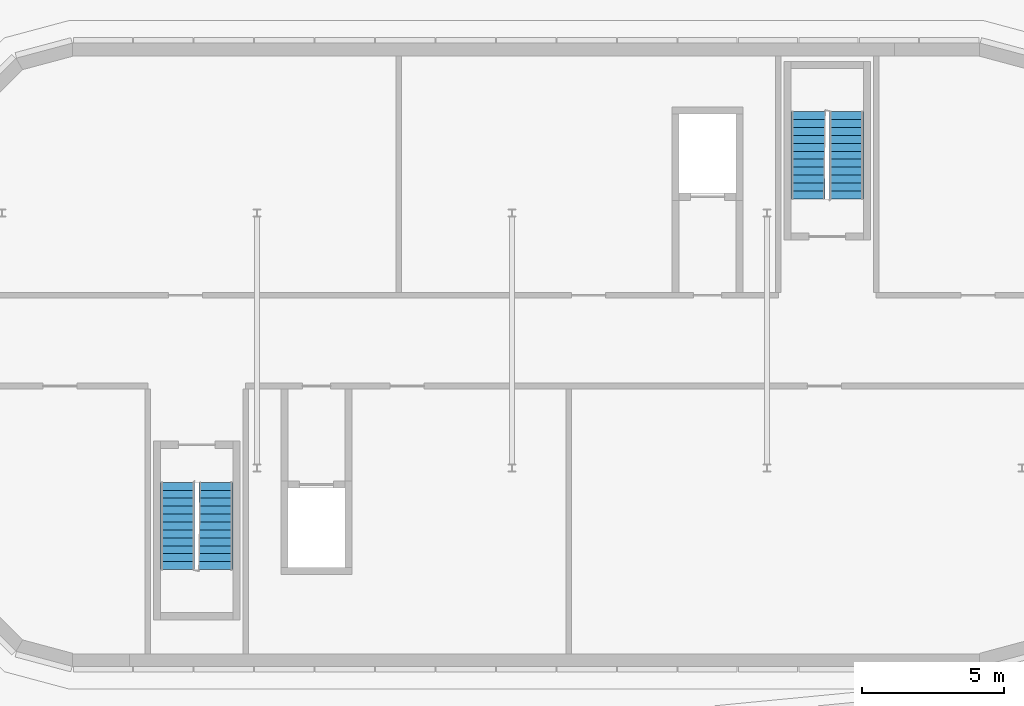
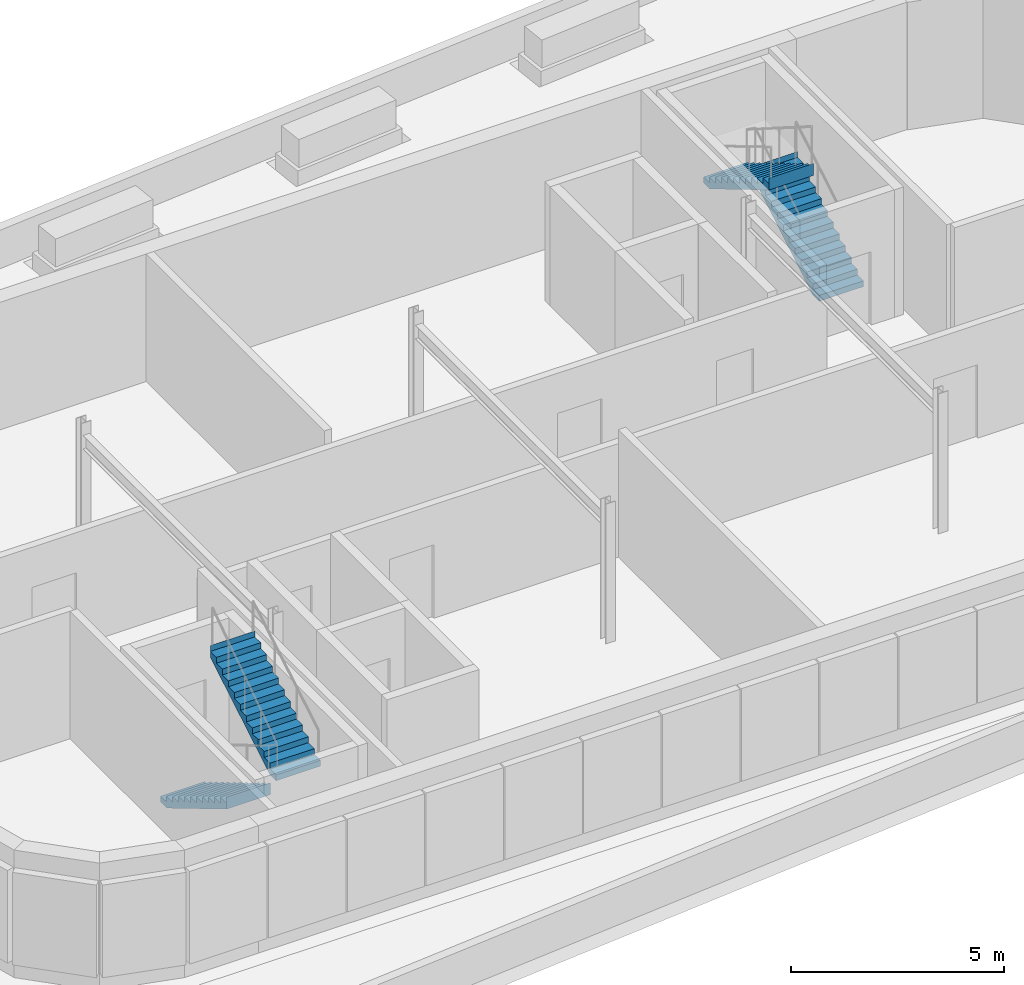
# One storey, part 4 of 6: 4 stair flights, 2 elements without a shape of their own.
"""IFC4 building model written with IfcOpenShell, lengths in metres."""

import ifcopenshell
import ifcopenshell.guid

model = None  # the IFC model being written
_history = None  # IfcOwnerHistory: only IFC2X3 demands one
_inside = {}  # id of a spatial element -> (the spatial element, [elements in it])
_under = {}  # id of a project, library or spatial element -> (it, [spatial elements below it])
_declared = {}  # id of a project -> (the project, [libraries it declares])
_typed = {}  # id of a type object -> (the type object, [elements of that type])
_made_of = {}  # id of a material, layer set ... -> (it, [elements and type objects made of it])


def new_model(schema):
    """Start an empty IFC model of exactly this schema.

    Asked for "IFC4X3", IfcOpenShell would pick the latest addendum, in which some entities
    have other attributes; the version numbers below select the first issue.
    IFC2X3 requires an IfcOwnerHistory on every rooted entity: one is made here for all.
    """
    global model, _history
    if schema == "IFC4X3":
        model = ifcopenshell.file(schema_version=(4, 3, 0, 0))
    else:
        model = ifcopenshell.file(schema=schema)
    _inside.clear()
    _under.clear()
    _declared.clear()
    _typed.clear()
    _made_of.clear()
    _history = None
    if model.schema == "IFC2X3":
        org = make("IfcOrganization", Name="unknown")
        user = make(
            "IfcPersonAndOrganization",
            ThePerson=make("IfcPerson", FamilyName="unknown"),
            TheOrganization=org,
        )
        app = make(
            "IfcApplication",
            ApplicationDeveloper=org,
            Version="unknown",
            ApplicationFullName="unknown",
            ApplicationIdentifier="unknown",
        )
        _history = make(
            "IfcOwnerHistory",
            OwningUser=user,
            OwningApplication=app,
            ChangeAction="ADDED",
            CreationDate=0,
        )
    return model


def make(cls, **values):
    """One entity of the class cls with the attributes given. An attribute that is None is left unset."""
    return model.create_entity(
        cls, **{name: value for name, value in values.items() if value is not None}
    )


def rooted(cls, **values):
    """An entity with a GlobalId (a new one), such as an element, a storey or a relation."""
    return make(cls, GlobalId=ifcopenshell.guid.new(), OwnerHistory=_history, **values)


def si_unit(unit_type, name, prefix=None):
    """IfcSIUnit, for example si_unit("LENGTHUNIT", "METRE", prefix="MILLI")."""
    return make("IfcSIUnit", UnitType=unit_type, Prefix=prefix, Name=name)


def assignment(units):
    """IfcUnitAssignment: the units of a project."""
    return None if units is None else make("IfcUnitAssignment", Units=units)


def point(xyz):
    """IfcCartesianPoint."""
    return None if xyz is None else make("IfcCartesianPoint", Coordinates=xyz)


def direction(xyz):
    """IfcDirection."""
    return None if xyz is None else make("IfcDirection", DirectionRatios=xyz)


def frame(location, z_axis=None, x_axis=None):
    """IfcAxis2Placement3D, a coordinate frame: its origin and axes. An axis left out is left unset."""
    return make(
        "IfcAxis2Placement3D",
        Location=point(location),
        Axis=direction(z_axis),
        RefDirection=direction(x_axis),
    )


def origin():
    """The frame at (0, 0, 0) with its axes left unset."""
    return frame((0.0, 0.0, 0.0))


def place(relative_to, where):
    """IfcLocalPlacement: puts the frame where relative to a parent placement (None: the world)."""
    return make(
        "IfcLocalPlacement", PlacementRelTo=relative_to, RelativePlacement=where
    )


def context(
    kind, dimensions, precision=None, world=None, true_north=None, identifier=None
):
    """IfcGeometricRepresentationContext, for example the 3D "Model" context."""
    return make(
        "IfcGeometricRepresentationContext",
        ContextIdentifier=identifier,
        ContextType=kind,
        CoordinateSpaceDimension=dimensions,
        Precision=precision,
        WorldCoordinateSystem=world,
        TrueNorth=true_north,
    )


def subcontext(parent, identifier, kind, view, scale=None):
    """IfcGeometricRepresentationSubContext, for example "Body" below "Model"."""
    return make(
        "IfcGeometricRepresentationSubContext",
        ContextIdentifier=identifier,
        ContextType=kind,
        ParentContext=parent,
        TargetScale=scale,
        TargetView=view,
    )


def project(units=None, contexts=None):
    """IfcProject with its units and contexts."""
    return rooted(
        "IfcProject",
        Name="project",
        RepresentationContexts=contexts,
        UnitsInContext=assignment(units),
    )


def spatial(cls, under=None, at=None, **own):
    """A site, building, storey or space (cls), placed at a placement, below another one or the project."""
    s = rooted(cls, ObjectPlacement=at, **own)
    if under is not None:
        _under.setdefault(under.id(), (under, []))[1].append(s)
    return s


def faces_of(points, faces, orient=None, outer=None):
    """IfcFace entities. A face is a list of loops; a loop is a list of indices into points, from 0.

    orient and outer hold one flag for each loop. By default every Orientation is true, the
    first loop of a face is its IfcFaceOuterBound and the others are IfcFaceBound.
    """
    made = []
    for i, loops in enumerate(faces):
        bounds = []
        for j, loop in enumerate(loops):
            is_outer = j == 0 if outer is None else outer[i][j]
            bounds.append(
                make(
                    "IfcFaceOuterBound" if is_outer else "IfcFaceBound",
                    Bound=make("IfcPolyLoop", Polygon=[points[k] for k in loop]),
                    Orientation=True if orient is None else orient[i][j],
                )
            )
        made.append(make("IfcFace", Bounds=bounds))
    return made


def faceted_brep(points, faces, orient=None, outer=None, voids=None):
    """IfcFacetedBrep: a solid bounded by flat faces; with voids (closed shells), ...WithVoids."""
    shared = [point(p) for p in points]
    hull = make("IfcClosedShell", CfsFaces=faces_of(shared, faces, orient, outer))
    if voids is None:
        return make("IfcFacetedBrep", Outer=hull)
    return make(
        "IfcFacetedBrepWithVoids",
        Outer=hull,
        Voids=[
            make(cls, CfsFaces=faces_of(shared, fs, o, b)) for cls, fs, o, b in voids
        ],
    )


def shape(context_of_items, identifier, shape_type, items):
    """IfcShapeRepresentation: the items that make up one representation, for example the "Body"."""
    return make(
        "IfcShapeRepresentation",
        ContextOfItems=context_of_items,
        RepresentationIdentifier=identifier,
        RepresentationType=shape_type,
        Items=items,
    )


def material(Name=None, Category=None):
    """IfcMaterial."""
    return make("IfcMaterial", Name=Name, Category=Category)


def made_of(thing, what):
    """Note that an element or type object is made of a material, layer set ...; save() writes the relation."""
    if what is not None:
        _made_of.setdefault(what.id(), (what, []))[1].append(thing)
    return thing


def type_object(cls, material=None, **own):
    """A type object (cls), such as IfcWallType, which elements share."""
    return made_of(rooted(cls, **own), material)


def element(
    cls,
    number,
    at=None,
    inside=None,
    cuts=None,
    type_object=None,
    material=None,
    context=None,
    identifier="Body",
    shape_type=None,
    held_by="IfcProductDefinitionShape",
    body=None,
    shapes=None,
    **own,
):
    """One element of the class cls, such as IfcWall. Its Tag is "e" and its number.

    at: its placement. inside: the storey or other place that contains it. cuts: it is an
    opening in that element (IfcRelVoidsElement). A single representation is given by context,
    identifier, shape_type and body (its items); several are given by shapes. held_by: the class
    of the entity that holds the representations. save() writes the other relations.
    """
    e = rooted(cls, Tag="e%d" % number, ObjectPlacement=at, **own)
    if body is not None:
        shapes = [shape(context, identifier, shape_type, body)]
    if shapes is not None:
        e.Representation = make(held_by, Representations=shapes)
    if inside is not None:
        _inside.setdefault(inside.id(), (inside, []))[1].append(e)
    if cuts is not None:
        rooted(
            "IfcRelVoidsElement", RelatingBuildingElement=cuts, RelatedOpeningElement=e
        )
    if type_object is not None:
        _typed.setdefault(type_object.id(), (type_object, []))[1].append(e)
    return made_of(e, material)


def aggregate(whole, parts):
    """IfcRelAggregates: a whole, such as a stair, and the parts it consists of."""
    return rooted("IfcRelAggregates", RelatingObject=whole, RelatedObjects=parts)


def save(model, path):
    """Write the relations noted so far, then the file.

    IfcRelAggregates (storeys below a building ...), IfcRelContainedInSpatialStructure (elements
    in a storey), IfcRelDefinesByType, IfcRelAssociatesMaterial and IfcRelDeclares: one each for
    every whole, place, type object, material and project.
    """
    for whole, parts in _under.values():
        aggregate(whole, parts)
    for where, things in _inside.values():
        rooted(
            "IfcRelContainedInSpatialStructure",
            RelatedElements=things,
            RelatingStructure=where,
        )
    for kind, things in _typed.values():
        rooted("IfcRelDefinesByType", RelatedObjects=things, RelatingType=kind)
    for what, things in _made_of.values():
        rooted("IfcRelAssociatesMaterial", RelatedObjects=things, RelatingMaterial=what)
    for by, libraries in _declared.values():
        rooted("IfcRelDeclares", RelatingContext=by, RelatedDefinitions=libraries)
    model.write(path)


model = new_model("IFC4")

# Units and contexts
model_context = context("Model", 3, precision=1e-05, world=origin(), true_north=direction((0.0, 1.0)))
body_context = subcontext(model_context, "Body", "Model", "MODEL_VIEW")
ifc_project = project(units=[si_unit("LENGTHUNIT", "METRE"), si_unit("AREAUNIT", "SQUARE_METRE"), si_unit("VOLUMEUNIT", "CUBIC_METRE"), si_unit("PLANEANGLEUNIT", "RADIAN"), si_unit("MASSUNIT", "GRAM", prefix="KILO")], contexts=[model_context])

# Site, building, storey
site_placement = place(None, origin())
site = spatial("IfcSite", under=ifc_project, at=site_placement, CompositionType="ELEMENT")
building_placement = place(site_placement, origin())
building = spatial("IfcBuilding", under=site, at=building_placement, Name="Kajstack Hotel Tower", CompositionType="ELEMENT")
storey_placement = place(building_placement, frame((0.0, 0.0, 325.800048828125)))
storey = spatial("IfcBuildingStorey", under=building, at=storey_placement, Name="L82", CompositionType="ELEMENT", Elevation=325.800048828125)

# Stair, stair flights
ifc_material = material(Name="Concrete C40/50", Category="concrete")
stair_type = type_object("IfcStairType", Name="Exit stair 1200", PredefinedType="HALF_TURN_STAIR", material=ifc_material)
stair_1_placement = place(storey_placement, origin())
stair_1 = element("IfcStair", 1, at=stair_1_placement, inside=storey, type_object=stair_type, Name="L82 stair R1", PredefinedType="HALF_TURN_STAIR")
stair_flight_type = type_object("IfcStairFlightType", Name="Exit stair flight 1200", PredefinedType="STRAIGHT", material=ifc_material)
stair_flight_1_placement = place(storey_placement, frame((-11.800048828125, -5.0, 0.0), z_axis=(0.0, 0.0, 1.0), x_axis=(0.0, -1.0, 0.0)))
stair_flight_1 = element("IfcStairFlight", 2, at=stair_flight_1_placement, type_object=stair_flight_type, Name="R1 flight 1", NumberOfRisers=12, NumberOfTreads=11, PredefinedType="STRAIGHT", RiserHeight=0.166666667, TreadLength=0.28, context=body_context, shape_type="Brep", body=[
    faceted_brep([(0.29345703125, -0.60009765625, 0.0), (3.08056640625, -0.60009765625, 1.658935546875), (3.08056640625, -0.60009765625, 2.0), (3.080078125, -0.60009765625, 2.0), (3.080078125, -0.60009765625, 1.833251953125), (2.800048828125, -0.60009765625, 1.833251953125), (2.800048828125, -0.60009765625, 1.666748046875), (2.52001953125, -0.60009765625, 1.666748046875), (2.52001953125, -0.60009765625, 1.5), (2.239990234375, -0.60009765625, 1.5), (2.239990234375, -0.60009765625, 1.333251953125), (1.9599609375, -0.60009765625, 1.333251953125), (1.9599609375, -0.60009765625, 1.166748046875), (1.679931640625, -0.60009765625, 1.166748046875), (1.679931640625, -0.60009765625, 1.0), (1.39990234375, -0.60009765625, 1.0), (1.39990234375, -0.60009765625, 0.833251953125), (1.1201171875, -0.60009765625, 0.833251953125), (1.1201171875, -0.60009765625, 0.666748046875), (0.840087890625, -0.60009765625, 0.666748046875), (0.840087890625, -0.60009765625, 0.5), (0.56005859375, -0.60009765625, 0.5), (0.56005859375, -0.60009765625, 0.333251953125), (0.280029296875, -0.60009765625, 0.333251953125), (0.280029296875, -0.60009765625, 0.166748046875), (-0.00048828125, -0.60009765625, 0.166748046875), (-0.00048828125, -0.60009765625, 0.0), (-0.00048828125, 0.60009765625, 0.0), (-0.00048828125, 0.60009765625, 0.166748046875), (0.280029296875, 0.60009765625, 0.166748046875), (0.280029296875, 0.60009765625, 0.333251953125), (0.56005859375, 0.60009765625, 0.333251953125), (0.56005859375, 0.60009765625, 0.5), (0.840087890625, 0.60009765625, 0.5), (0.840087890625, 0.60009765625, 0.666748046875), (1.1201171875, 0.60009765625, 0.666748046875), (1.1201171875, 0.60009765625, 0.833251953125), (1.39990234375, 0.60009765625, 0.833251953125), (1.39990234375, 0.60009765625, 1.0), (1.679931640625, 0.60009765625, 1.0), (1.679931640625, 0.60009765625, 1.166748046875), (1.9599609375, 0.60009765625, 1.166748046875), (1.9599609375, 0.60009765625, 1.333251953125), (2.239990234375, 0.60009765625, 1.333251953125), (2.239990234375, 0.60009765625, 1.5), (2.52001953125, 0.60009765625, 1.5), (2.52001953125, 0.60009765625, 1.666748046875), (2.800048828125, 0.60009765625, 1.666748046875), (2.800048828125, 0.60009765625, 1.833251953125), (3.080078125, 0.60009765625, 1.833251953125), (3.080078125, 0.60009765625, 2.0), (3.08056640625, 0.60009765625, 2.0), (3.08056640625, 0.60009765625, 1.658935546875), (0.29345703125, 0.60009765625, 0.0), (-0.00048828125, -0.300048828125, 0.166748046875), (-0.00048828125, 0.0, 0.166748046875), (-0.00048828125, 0.300048828125, 0.166748046875), (-0.00048828125, 0.300048828125, 0.0), (-0.00048828125, 0.0, 0.0), (-0.00048828125, -0.300048828125, 0.0), (0.280029296875, -0.300048828125, 0.166748046875), (0.280029296875, 0.0, 0.166748046875), (0.280029296875, 0.300048828125, 0.166748046875), (0.280029296875, -0.300048828125, 0.333251953125), (0.280029296875, 0.0, 0.333251953125), (0.280029296875, 0.300048828125, 0.333251953125), (0.56005859375, -0.300048828125, 0.333251953125), (0.56005859375, 0.0, 0.333251953125), (0.56005859375, 0.300048828125, 0.333251953125), (0.56005859375, -0.300048828125, 0.5), (0.56005859375, 0.0, 0.5), (0.56005859375, 0.300048828125, 0.5), (0.840087890625, -0.300048828125, 0.5), (0.840087890625, 0.0, 0.5), (0.840087890625, 0.300048828125, 0.5), (0.840087890625, -0.300048828125, 0.666748046875), (0.840087890625, 0.0, 0.666748046875), (0.840087890625, 0.300048828125, 0.666748046875), (1.1201171875, -0.300048828125, 0.666748046875), (1.1201171875, 0.0, 0.666748046875), (1.1201171875, 0.300048828125, 0.666748046875), (1.1201171875, -0.300048828125, 0.833251953125), (1.1201171875, 0.0, 0.833251953125), (1.1201171875, 0.300048828125, 0.833251953125), (1.39990234375, -0.300048828125, 0.833251953125), (1.39990234375, 0.0, 0.833251953125), (1.39990234375, 0.300048828125, 0.833251953125), (1.39990234375, -0.300048828125, 1.0), (1.39990234375, 0.0, 1.0), (1.39990234375, 0.300048828125, 1.0), (1.679931640625, -0.300048828125, 1.0), (1.679931640625, 0.0, 1.0), (1.679931640625, 0.300048828125, 1.0), (1.679931640625, -0.300048828125, 1.166748046875), (1.679931640625, 0.0, 1.166748046875), (1.679931640625, 0.300048828125, 1.166748046875), (1.9599609375, -0.300048828125, 1.166748046875), (1.9599609375, 0.0, 1.166748046875), (1.9599609375, 0.300048828125, 1.166748046875), (1.9599609375, -0.300048828125, 1.333251953125), (1.9599609375, 0.0, 1.333251953125), (1.9599609375, 0.300048828125, 1.333251953125), (2.239990234375, -0.300048828125, 1.333251953125), (2.239990234375, 0.0, 1.333251953125), (2.239990234375, 0.300048828125, 1.333251953125), (2.239990234375, -0.300048828125, 1.5), (2.239990234375, 0.0, 1.5), (2.239990234375, 0.300048828125, 1.5), (2.52001953125, -0.300048828125, 1.5), (2.52001953125, 0.0, 1.5), (2.52001953125, 0.300048828125, 1.5), (2.52001953125, -0.300048828125, 1.666748046875), (2.52001953125, 0.0, 1.666748046875), (2.52001953125, 0.300048828125, 1.666748046875), (2.800048828125, -0.300048828125, 1.666748046875), (2.800048828125, 0.0, 1.666748046875), (2.800048828125, 0.300048828125, 1.666748046875), (2.800048828125, -0.300048828125, 1.833251953125), (2.800048828125, 0.0, 1.833251953125), (2.800048828125, 0.300048828125, 1.833251953125), (3.080078125, -0.300048828125, 1.833251953125), (3.080078125, 0.0, 1.833251953125), (3.080078125, 0.300048828125, 1.833251953125), (3.080078125, -0.300048828125, 2.0), (3.080078125, 0.0, 2.0), (3.080078125, 0.300048828125, 2.0), (3.08056640625, -0.300048828125, 2.0), (3.08056640625, 0.0, 2.0), (3.08056640625, 0.300048828125, 2.0), (3.08056640625, -0.300048828125, 1.658935546875), (3.08056640625, 0.0, 1.658935546875), (3.08056640625, 0.300048828125, 1.658935546875), (0.29345703125, -0.300048828125, 0.0), (0.29345703125, 0.0, 0.0), (0.29345703125, 0.300048828125, 0.0)], [[[0, 1, 2, 3, 4, 5, 6, 7, 8, 9, 10, 11, 12, 13, 14, 15, 16, 17, 18, 19, 20, 21, 22, 23, 24, 25, 26]], [[27, 28, 29, 30, 31, 32, 33, 34, 35, 36, 37, 38, 39, 40, 41, 42, 43, 44, 45, 46, 47, 48, 49, 50, 51, 52, 53]], [[25, 54, 55, 56, 28, 27, 57, 58, 59, 26]], [[24, 60, 61, 62, 29, 28, 56, 55, 54, 25]], [[23, 63, 64, 65, 30, 29, 62, 61, 60, 24]], [[22, 66, 67, 68, 31, 30, 65, 64, 63, 23]], [[21, 69, 70, 71, 32, 31, 68, 67, 66, 22]], [[20, 72, 73, 74, 33, 32, 71, 70, 69, 21]], [[19, 75, 76, 77, 34, 33, 74, 73, 72, 20]], [[18, 78, 79, 80, 35, 34, 77, 76, 75, 19]], [[17, 81, 82, 83, 36, 35, 80, 79, 78, 18]], [[16, 84, 85, 86, 37, 36, 83, 82, 81, 17]], [[15, 87, 88, 89, 38, 37, 86, 85, 84, 16]], [[14, 90, 91, 92, 39, 38, 89, 88, 87, 15]], [[13, 93, 94, 95, 40, 39, 92, 91, 90, 14]], [[12, 96, 97, 98, 41, 40, 95, 94, 93, 13]], [[11, 99, 100, 101, 42, 41, 98, 97, 96, 12]], [[10, 102, 103, 104, 43, 42, 101, 100, 99, 11]], [[9, 105, 106, 107, 44, 43, 104, 103, 102, 10]], [[8, 108, 109, 110, 45, 44, 107, 106, 105, 9]], [[7, 111, 112, 113, 46, 45, 110, 109, 108, 8]], [[6, 114, 115, 116, 47, 46, 113, 112, 111, 7]], [[5, 117, 118, 119, 48, 47, 116, 115, 114, 6]], [[4, 120, 121, 122, 49, 48, 119, 118, 117, 5]], [[3, 123, 124, 125, 50, 49, 122, 121, 120, 4]], [[2, 126, 127, 128, 51, 50, 125, 124, 123, 3]], [[1, 129, 130, 131, 52, 51, 128, 127, 126, 2]], [[0, 132, 133, 134, 53, 52, 131, 130, 129, 1]], [[26, 59, 58, 57, 27, 53, 134, 133, 132, 0]]]),
])
stair_flight_2_placement = place(storey_placement, frame((-10.449951171875, -8.080078125, 2.0), z_axis=(0.0, 0.0, 1.0), x_axis=(0.0, 1.0, 0.0)))
stair_flight_2 = element("IfcStairFlight", 3, at=stair_flight_2_placement, type_object=stair_flight_type, Name="R1 flight 2", NumberOfRisers=12, NumberOfTreads=11, PredefinedType="STRAIGHT", RiserHeight=0.166666667, TreadLength=0.28, context=body_context, shape_type="Brep", body=[
    faceted_brep([(0.29345703125, -0.60009765625, 0.0), (3.08056640625, -0.60009765625, 1.658935546875), (3.08056640625, -0.60009765625, 2.0), (3.080078125, -0.60009765625, 2.0), (3.080078125, -0.60009765625, 1.833251953125), (2.800048828125, -0.60009765625, 1.833251953125), (2.800048828125, -0.60009765625, 1.666748046875), (2.52001953125, -0.60009765625, 1.666748046875), (2.52001953125, -0.60009765625, 1.5), (2.239990234375, -0.60009765625, 1.5), (2.239990234375, -0.60009765625, 1.333251953125), (1.9599609375, -0.60009765625, 1.333251953125), (1.9599609375, -0.60009765625, 1.166748046875), (1.679931640625, -0.60009765625, 1.166748046875), (1.679931640625, -0.60009765625, 1.0), (1.39990234375, -0.60009765625, 1.0), (1.39990234375, -0.60009765625, 0.833251953125), (1.1201171875, -0.60009765625, 0.833251953125), (1.1201171875, -0.60009765625, 0.666748046875), (0.840087890625, -0.60009765625, 0.666748046875), (0.840087890625, -0.60009765625, 0.5), (0.56005859375, -0.60009765625, 0.5), (0.56005859375, -0.60009765625, 0.333251953125), (0.280029296875, -0.60009765625, 0.333251953125), (0.280029296875, -0.60009765625, 0.166748046875), (-0.00048828125, -0.60009765625, 0.166748046875), (-0.00048828125, -0.60009765625, 0.0), (-0.00048828125, 0.60009765625, 0.0), (-0.00048828125, 0.60009765625, 0.166748046875), (0.280029296875, 0.60009765625, 0.166748046875), (0.280029296875, 0.60009765625, 0.333251953125), (0.56005859375, 0.60009765625, 0.333251953125), (0.56005859375, 0.60009765625, 0.5), (0.840087890625, 0.60009765625, 0.5), (0.840087890625, 0.60009765625, 0.666748046875), (1.1201171875, 0.60009765625, 0.666748046875), (1.1201171875, 0.60009765625, 0.833251953125), (1.39990234375, 0.60009765625, 0.833251953125), (1.39990234375, 0.60009765625, 1.0), (1.679931640625, 0.60009765625, 1.0), (1.679931640625, 0.60009765625, 1.166748046875), (1.9599609375, 0.60009765625, 1.166748046875), (1.9599609375, 0.60009765625, 1.333251953125), (2.239990234375, 0.60009765625, 1.333251953125), (2.239990234375, 0.60009765625, 1.5), (2.52001953125, 0.60009765625, 1.5), (2.52001953125, 0.60009765625, 1.666748046875), (2.800048828125, 0.60009765625, 1.666748046875), (2.800048828125, 0.60009765625, 1.833251953125), (3.080078125, 0.60009765625, 1.833251953125), (3.080078125, 0.60009765625, 2.0), (3.08056640625, 0.60009765625, 2.0), (3.08056640625, 0.60009765625, 1.658935546875), (0.29345703125, 0.60009765625, 0.0), (-0.00048828125, -0.300048828125, 0.166748046875), (-0.00048828125, 0.0, 0.166748046875), (-0.00048828125, 0.300048828125, 0.166748046875), (-0.00048828125, 0.300048828125, 0.0), (-0.00048828125, 0.0, 0.0), (-0.00048828125, -0.300048828125, 0.0), (0.280029296875, -0.300048828125, 0.166748046875), (0.280029296875, 0.0, 0.166748046875), (0.280029296875, 0.300048828125, 0.166748046875), (0.280029296875, -0.300048828125, 0.333251953125), (0.280029296875, 0.0, 0.333251953125), (0.280029296875, 0.300048828125, 0.333251953125), (0.56005859375, -0.300048828125, 0.333251953125), (0.56005859375, 0.0, 0.333251953125), (0.56005859375, 0.300048828125, 0.333251953125), (0.56005859375, -0.300048828125, 0.5), (0.56005859375, 0.0, 0.5), (0.56005859375, 0.300048828125, 0.5), (0.840087890625, -0.300048828125, 0.5), (0.840087890625, 0.0, 0.5), (0.840087890625, 0.300048828125, 0.5), (0.840087890625, -0.300048828125, 0.666748046875), (0.840087890625, 0.0, 0.666748046875), (0.840087890625, 0.300048828125, 0.666748046875), (1.1201171875, -0.300048828125, 0.666748046875), (1.1201171875, 0.0, 0.666748046875), (1.1201171875, 0.300048828125, 0.666748046875), (1.1201171875, -0.300048828125, 0.833251953125), (1.1201171875, 0.0, 0.833251953125), (1.1201171875, 0.300048828125, 0.833251953125), (1.39990234375, -0.300048828125, 0.833251953125), (1.39990234375, 0.0, 0.833251953125), (1.39990234375, 0.300048828125, 0.833251953125), (1.39990234375, -0.300048828125, 1.0), (1.39990234375, 0.0, 1.0), (1.39990234375, 0.300048828125, 1.0), (1.679931640625, -0.300048828125, 1.0), (1.679931640625, 0.0, 1.0), (1.679931640625, 0.300048828125, 1.0), (1.679931640625, -0.300048828125, 1.166748046875), (1.679931640625, 0.0, 1.166748046875), (1.679931640625, 0.300048828125, 1.166748046875), (1.9599609375, -0.300048828125, 1.166748046875), (1.9599609375, 0.0, 1.166748046875), (1.9599609375, 0.300048828125, 1.166748046875), (1.9599609375, -0.300048828125, 1.333251953125), (1.9599609375, 0.0, 1.333251953125), (1.9599609375, 0.300048828125, 1.333251953125), (2.239990234375, -0.300048828125, 1.333251953125), (2.239990234375, 0.0, 1.333251953125), (2.239990234375, 0.300048828125, 1.333251953125), (2.239990234375, -0.300048828125, 1.5), (2.239990234375, 0.0, 1.5), (2.239990234375, 0.300048828125, 1.5), (2.52001953125, -0.300048828125, 1.5), (2.52001953125, 0.0, 1.5), (2.52001953125, 0.300048828125, 1.5), (2.52001953125, -0.300048828125, 1.666748046875), (2.52001953125, 0.0, 1.666748046875), (2.52001953125, 0.300048828125, 1.666748046875), (2.800048828125, -0.300048828125, 1.666748046875), (2.800048828125, 0.0, 1.666748046875), (2.800048828125, 0.300048828125, 1.666748046875), (2.800048828125, -0.300048828125, 1.833251953125), (2.800048828125, 0.0, 1.833251953125), (2.800048828125, 0.300048828125, 1.833251953125), (3.080078125, -0.300048828125, 1.833251953125), (3.080078125, 0.0, 1.833251953125), (3.080078125, 0.300048828125, 1.833251953125), (3.080078125, -0.300048828125, 2.0), (3.080078125, 0.0, 2.0), (3.080078125, 0.300048828125, 2.0), (3.08056640625, -0.300048828125, 2.0), (3.08056640625, 0.0, 2.0), (3.08056640625, 0.300048828125, 2.0), (3.08056640625, -0.300048828125, 1.658935546875), (3.08056640625, 0.0, 1.658935546875), (3.08056640625, 0.300048828125, 1.658935546875), (0.29345703125, -0.300048828125, 0.0), (0.29345703125, 0.0, 0.0), (0.29345703125, 0.300048828125, 0.0)], [[[0, 1, 2, 3, 4, 5, 6, 7, 8, 9, 10, 11, 12, 13, 14, 15, 16, 17, 18, 19, 20, 21, 22, 23, 24, 25, 26]], [[27, 28, 29, 30, 31, 32, 33, 34, 35, 36, 37, 38, 39, 40, 41, 42, 43, 44, 45, 46, 47, 48, 49, 50, 51, 52, 53]], [[25, 54, 55, 56, 28, 27, 57, 58, 59, 26]], [[24, 60, 61, 62, 29, 28, 56, 55, 54, 25]], [[23, 63, 64, 65, 30, 29, 62, 61, 60, 24]], [[22, 66, 67, 68, 31, 30, 65, 64, 63, 23]], [[21, 69, 70, 71, 32, 31, 68, 67, 66, 22]], [[20, 72, 73, 74, 33, 32, 71, 70, 69, 21]], [[19, 75, 76, 77, 34, 33, 74, 73, 72, 20]], [[18, 78, 79, 80, 35, 34, 77, 76, 75, 19]], [[17, 81, 82, 83, 36, 35, 80, 79, 78, 18]], [[16, 84, 85, 86, 37, 36, 83, 82, 81, 17]], [[15, 87, 88, 89, 38, 37, 86, 85, 84, 16]], [[14, 90, 91, 92, 39, 38, 89, 88, 87, 15]], [[13, 93, 94, 95, 40, 39, 92, 91, 90, 14]], [[12, 96, 97, 98, 41, 40, 95, 94, 93, 13]], [[11, 99, 100, 101, 42, 41, 98, 97, 96, 12]], [[10, 102, 103, 104, 43, 42, 101, 100, 99, 11]], [[9, 105, 106, 107, 44, 43, 104, 103, 102, 10]], [[8, 108, 109, 110, 45, 44, 107, 106, 105, 9]], [[7, 111, 112, 113, 46, 45, 110, 109, 108, 8]], [[6, 114, 115, 116, 47, 46, 113, 112, 111, 7]], [[5, 117, 118, 119, 48, 47, 116, 115, 114, 6]], [[4, 120, 121, 122, 49, 48, 119, 118, 117, 5]], [[3, 123, 124, 125, 50, 49, 122, 121, 120, 4]], [[2, 126, 127, 128, 51, 50, 125, 124, 123, 3]], [[1, 129, 130, 131, 52, 51, 128, 127, 126, 2]], [[0, 132, 133, 134, 53, 52, 131, 130, 129, 1]], [[26, 59, 58, 57, 27, 53, 134, 133, 132, 0]]]),
])
aggregate(stair_1, [stair_flight_1, stair_flight_2])

stair_2_placement = place(storey_placement, origin())
stair_2 = element("IfcStair", 4, at=stair_2_placement, inside=storey, type_object=stair_type, Name="L82 stair R2", PredefinedType="HALF_TURN_STAIR")
stair_flight_3_placement = place(storey_placement, frame((11.800048828125, 5.0, 0.0), z_axis=(0.0, 0.0, 1.0), x_axis=(0.0, 1.0, 0.0)))
stair_flight_3 = element("IfcStairFlight", 5, at=stair_flight_3_placement, type_object=stair_flight_type, Name="R2 flight 1", NumberOfRisers=12, NumberOfTreads=11, PredefinedType="STRAIGHT", RiserHeight=0.166666667, TreadLength=0.28, context=body_context, shape_type="Brep", body=[
    faceted_brep([(0.29345703125, -0.60009765625, 0.0), (3.08056640625, -0.60009765625, 1.658935546875), (3.08056640625, -0.60009765625, 2.0), (3.080078125, -0.60009765625, 2.0), (3.080078125, -0.60009765625, 1.833251953125), (2.800048828125, -0.60009765625, 1.833251953125), (2.800048828125, -0.60009765625, 1.666748046875), (2.52001953125, -0.60009765625, 1.666748046875), (2.52001953125, -0.60009765625, 1.5), (2.239990234375, -0.60009765625, 1.5), (2.239990234375, -0.60009765625, 1.333251953125), (1.9599609375, -0.60009765625, 1.333251953125), (1.9599609375, -0.60009765625, 1.166748046875), (1.679931640625, -0.60009765625, 1.166748046875), (1.679931640625, -0.60009765625, 1.0), (1.39990234375, -0.60009765625, 1.0), (1.39990234375, -0.60009765625, 0.833251953125), (1.1201171875, -0.60009765625, 0.833251953125), (1.1201171875, -0.60009765625, 0.666748046875), (0.840087890625, -0.60009765625, 0.666748046875), (0.840087890625, -0.60009765625, 0.5), (0.56005859375, -0.60009765625, 0.5), (0.56005859375, -0.60009765625, 0.333251953125), (0.280029296875, -0.60009765625, 0.333251953125), (0.280029296875, -0.60009765625, 0.166748046875), (-0.00048828125, -0.60009765625, 0.166748046875), (-0.00048828125, -0.60009765625, 0.0), (-0.00048828125, 0.60009765625, 0.0), (-0.00048828125, 0.60009765625, 0.166748046875), (0.280029296875, 0.60009765625, 0.166748046875), (0.280029296875, 0.60009765625, 0.333251953125), (0.56005859375, 0.60009765625, 0.333251953125), (0.56005859375, 0.60009765625, 0.5), (0.840087890625, 0.60009765625, 0.5), (0.840087890625, 0.60009765625, 0.666748046875), (1.1201171875, 0.60009765625, 0.666748046875), (1.1201171875, 0.60009765625, 0.833251953125), (1.39990234375, 0.60009765625, 0.833251953125), (1.39990234375, 0.60009765625, 1.0), (1.679931640625, 0.60009765625, 1.0), (1.679931640625, 0.60009765625, 1.166748046875), (1.9599609375, 0.60009765625, 1.166748046875), (1.9599609375, 0.60009765625, 1.333251953125), (2.239990234375, 0.60009765625, 1.333251953125), (2.239990234375, 0.60009765625, 1.5), (2.52001953125, 0.60009765625, 1.5), (2.52001953125, 0.60009765625, 1.666748046875), (2.800048828125, 0.60009765625, 1.666748046875), (2.800048828125, 0.60009765625, 1.833251953125), (3.080078125, 0.60009765625, 1.833251953125), (3.080078125, 0.60009765625, 2.0), (3.08056640625, 0.60009765625, 2.0), (3.08056640625, 0.60009765625, 1.658935546875), (0.29345703125, 0.60009765625, 0.0), (-0.00048828125, -0.300048828125, 0.166748046875), (-0.00048828125, 0.0, 0.166748046875), (-0.00048828125, 0.300048828125, 0.166748046875), (-0.00048828125, 0.300048828125, 0.0), (-0.00048828125, 0.0, 0.0), (-0.00048828125, -0.300048828125, 0.0), (0.280029296875, -0.300048828125, 0.166748046875), (0.280029296875, 0.0, 0.166748046875), (0.280029296875, 0.300048828125, 0.166748046875), (0.280029296875, -0.300048828125, 0.333251953125), (0.280029296875, 0.0, 0.333251953125), (0.280029296875, 0.300048828125, 0.333251953125), (0.56005859375, -0.300048828125, 0.333251953125), (0.56005859375, 0.0, 0.333251953125), (0.56005859375, 0.300048828125, 0.333251953125), (0.56005859375, -0.300048828125, 0.5), (0.56005859375, 0.0, 0.5), (0.56005859375, 0.300048828125, 0.5), (0.840087890625, -0.300048828125, 0.5), (0.840087890625, 0.0, 0.5), (0.840087890625, 0.300048828125, 0.5), (0.840087890625, -0.300048828125, 0.666748046875), (0.840087890625, 0.0, 0.666748046875), (0.840087890625, 0.300048828125, 0.666748046875), (1.1201171875, -0.300048828125, 0.666748046875), (1.1201171875, 0.0, 0.666748046875), (1.1201171875, 0.300048828125, 0.666748046875), (1.1201171875, -0.300048828125, 0.833251953125), (1.1201171875, 0.0, 0.833251953125), (1.1201171875, 0.300048828125, 0.833251953125), (1.39990234375, -0.300048828125, 0.833251953125), (1.39990234375, 0.0, 0.833251953125), (1.39990234375, 0.300048828125, 0.833251953125), (1.39990234375, -0.300048828125, 1.0), (1.39990234375, 0.0, 1.0), (1.39990234375, 0.300048828125, 1.0), (1.679931640625, -0.300048828125, 1.0), (1.679931640625, 0.0, 1.0), (1.679931640625, 0.300048828125, 1.0), (1.679931640625, -0.300048828125, 1.166748046875), (1.679931640625, 0.0, 1.166748046875), (1.679931640625, 0.300048828125, 1.166748046875), (1.9599609375, -0.300048828125, 1.166748046875), (1.9599609375, 0.0, 1.166748046875), (1.9599609375, 0.300048828125, 1.166748046875), (1.9599609375, -0.300048828125, 1.333251953125), (1.9599609375, 0.0, 1.333251953125), (1.9599609375, 0.300048828125, 1.333251953125), (2.239990234375, -0.300048828125, 1.333251953125), (2.239990234375, 0.0, 1.333251953125), (2.239990234375, 0.300048828125, 1.333251953125), (2.239990234375, -0.300048828125, 1.5), (2.239990234375, 0.0, 1.5), (2.239990234375, 0.300048828125, 1.5), (2.52001953125, -0.300048828125, 1.5), (2.52001953125, 0.0, 1.5), (2.52001953125, 0.300048828125, 1.5), (2.52001953125, -0.300048828125, 1.666748046875), (2.52001953125, 0.0, 1.666748046875), (2.52001953125, 0.300048828125, 1.666748046875), (2.800048828125, -0.300048828125, 1.666748046875), (2.800048828125, 0.0, 1.666748046875), (2.800048828125, 0.300048828125, 1.666748046875), (2.800048828125, -0.300048828125, 1.833251953125), (2.800048828125, 0.0, 1.833251953125), (2.800048828125, 0.300048828125, 1.833251953125), (3.080078125, -0.300048828125, 1.833251953125), (3.080078125, 0.0, 1.833251953125), (3.080078125, 0.300048828125, 1.833251953125), (3.080078125, -0.300048828125, 2.0), (3.080078125, 0.0, 2.0), (3.080078125, 0.300048828125, 2.0), (3.08056640625, -0.300048828125, 2.0), (3.08056640625, 0.0, 2.0), (3.08056640625, 0.300048828125, 2.0), (3.08056640625, -0.300048828125, 1.658935546875), (3.08056640625, 0.0, 1.658935546875), (3.08056640625, 0.300048828125, 1.658935546875), (0.29345703125, -0.300048828125, 0.0), (0.29345703125, 0.0, 0.0), (0.29345703125, 0.300048828125, 0.0)], [[[0, 1, 2, 3, 4, 5, 6, 7, 8, 9, 10, 11, 12, 13, 14, 15, 16, 17, 18, 19, 20, 21, 22, 23, 24, 25, 26]], [[27, 28, 29, 30, 31, 32, 33, 34, 35, 36, 37, 38, 39, 40, 41, 42, 43, 44, 45, 46, 47, 48, 49, 50, 51, 52, 53]], [[25, 54, 55, 56, 28, 27, 57, 58, 59, 26]], [[24, 60, 61, 62, 29, 28, 56, 55, 54, 25]], [[23, 63, 64, 65, 30, 29, 62, 61, 60, 24]], [[22, 66, 67, 68, 31, 30, 65, 64, 63, 23]], [[21, 69, 70, 71, 32, 31, 68, 67, 66, 22]], [[20, 72, 73, 74, 33, 32, 71, 70, 69, 21]], [[19, 75, 76, 77, 34, 33, 74, 73, 72, 20]], [[18, 78, 79, 80, 35, 34, 77, 76, 75, 19]], [[17, 81, 82, 83, 36, 35, 80, 79, 78, 18]], [[16, 84, 85, 86, 37, 36, 83, 82, 81, 17]], [[15, 87, 88, 89, 38, 37, 86, 85, 84, 16]], [[14, 90, 91, 92, 39, 38, 89, 88, 87, 15]], [[13, 93, 94, 95, 40, 39, 92, 91, 90, 14]], [[12, 96, 97, 98, 41, 40, 95, 94, 93, 13]], [[11, 99, 100, 101, 42, 41, 98, 97, 96, 12]], [[10, 102, 103, 104, 43, 42, 101, 100, 99, 11]], [[9, 105, 106, 107, 44, 43, 104, 103, 102, 10]], [[8, 108, 109, 110, 45, 44, 107, 106, 105, 9]], [[7, 111, 112, 113, 46, 45, 110, 109, 108, 8]], [[6, 114, 115, 116, 47, 46, 113, 112, 111, 7]], [[5, 117, 118, 119, 48, 47, 116, 115, 114, 6]], [[4, 120, 121, 122, 49, 48, 119, 118, 117, 5]], [[3, 123, 124, 125, 50, 49, 122, 121, 120, 4]], [[2, 126, 127, 128, 51, 50, 125, 124, 123, 3]], [[1, 129, 130, 131, 52, 51, 128, 127, 126, 2]], [[0, 132, 133, 134, 53, 52, 131, 130, 129, 1]], [[26, 59, 58, 57, 27, 53, 134, 133, 132, 0]]]),
])
stair_flight_4_placement = place(storey_placement, frame((10.449951171875, 8.080078125, 2.0), z_axis=(0.0, 0.0, 1.0), x_axis=(0.0, -1.0, 0.0)))
stair_flight_4 = element("IfcStairFlight", 6, at=stair_flight_4_placement, type_object=stair_flight_type, Name="R2 flight 2", NumberOfRisers=12, NumberOfTreads=11, PredefinedType="STRAIGHT", RiserHeight=0.166666667, TreadLength=0.28, context=body_context, shape_type="Brep", body=[
    faceted_brep([(0.29345703125, -0.60009765625, 0.0), (3.08056640625, -0.60009765625, 1.658935546875), (3.08056640625, -0.60009765625, 2.0), (3.080078125, -0.60009765625, 2.0), (3.080078125, -0.60009765625, 1.833251953125), (2.800048828125, -0.60009765625, 1.833251953125), (2.800048828125, -0.60009765625, 1.666748046875), (2.52001953125, -0.60009765625, 1.666748046875), (2.52001953125, -0.60009765625, 1.5), (2.239990234375, -0.60009765625, 1.5), (2.239990234375, -0.60009765625, 1.333251953125), (1.9599609375, -0.60009765625, 1.333251953125), (1.9599609375, -0.60009765625, 1.166748046875), (1.679931640625, -0.60009765625, 1.166748046875), (1.679931640625, -0.60009765625, 1.0), (1.39990234375, -0.60009765625, 1.0), (1.39990234375, -0.60009765625, 0.833251953125), (1.1201171875, -0.60009765625, 0.833251953125), (1.1201171875, -0.60009765625, 0.666748046875), (0.840087890625, -0.60009765625, 0.666748046875), (0.840087890625, -0.60009765625, 0.5), (0.56005859375, -0.60009765625, 0.5), (0.56005859375, -0.60009765625, 0.333251953125), (0.280029296875, -0.60009765625, 0.333251953125), (0.280029296875, -0.60009765625, 0.166748046875), (-0.00048828125, -0.60009765625, 0.166748046875), (-0.00048828125, -0.60009765625, 0.0), (-0.00048828125, 0.60009765625, 0.0), (-0.00048828125, 0.60009765625, 0.166748046875), (0.280029296875, 0.60009765625, 0.166748046875), (0.280029296875, 0.60009765625, 0.333251953125), (0.56005859375, 0.60009765625, 0.333251953125), (0.56005859375, 0.60009765625, 0.5), (0.840087890625, 0.60009765625, 0.5), (0.840087890625, 0.60009765625, 0.666748046875), (1.1201171875, 0.60009765625, 0.666748046875), (1.1201171875, 0.60009765625, 0.833251953125), (1.39990234375, 0.60009765625, 0.833251953125), (1.39990234375, 0.60009765625, 1.0), (1.679931640625, 0.60009765625, 1.0), (1.679931640625, 0.60009765625, 1.166748046875), (1.9599609375, 0.60009765625, 1.166748046875), (1.9599609375, 0.60009765625, 1.333251953125), (2.239990234375, 0.60009765625, 1.333251953125), (2.239990234375, 0.60009765625, 1.5), (2.52001953125, 0.60009765625, 1.5), (2.52001953125, 0.60009765625, 1.666748046875), (2.800048828125, 0.60009765625, 1.666748046875), (2.800048828125, 0.60009765625, 1.833251953125), (3.080078125, 0.60009765625, 1.833251953125), (3.080078125, 0.60009765625, 2.0), (3.08056640625, 0.60009765625, 2.0), (3.08056640625, 0.60009765625, 1.658935546875), (0.29345703125, 0.60009765625, 0.0), (-0.00048828125, -0.300048828125, 0.166748046875), (-0.00048828125, 0.0, 0.166748046875), (-0.00048828125, 0.300048828125, 0.166748046875), (-0.00048828125, 0.300048828125, 0.0), (-0.00048828125, 0.0, 0.0), (-0.00048828125, -0.300048828125, 0.0), (0.280029296875, -0.300048828125, 0.166748046875), (0.280029296875, 0.0, 0.166748046875), (0.280029296875, 0.300048828125, 0.166748046875), (0.280029296875, -0.300048828125, 0.333251953125), (0.280029296875, 0.0, 0.333251953125), (0.280029296875, 0.300048828125, 0.333251953125), (0.56005859375, -0.300048828125, 0.333251953125), (0.56005859375, 0.0, 0.333251953125), (0.56005859375, 0.300048828125, 0.333251953125), (0.56005859375, -0.300048828125, 0.5), (0.56005859375, 0.0, 0.5), (0.56005859375, 0.300048828125, 0.5), (0.840087890625, -0.300048828125, 0.5), (0.840087890625, 0.0, 0.5), (0.840087890625, 0.300048828125, 0.5), (0.840087890625, -0.300048828125, 0.666748046875), (0.840087890625, 0.0, 0.666748046875), (0.840087890625, 0.300048828125, 0.666748046875), (1.1201171875, -0.300048828125, 0.666748046875), (1.1201171875, 0.0, 0.666748046875), (1.1201171875, 0.300048828125, 0.666748046875), (1.1201171875, -0.300048828125, 0.833251953125), (1.1201171875, 0.0, 0.833251953125), (1.1201171875, 0.300048828125, 0.833251953125), (1.39990234375, -0.300048828125, 0.833251953125), (1.39990234375, 0.0, 0.833251953125), (1.39990234375, 0.300048828125, 0.833251953125), (1.39990234375, -0.300048828125, 1.0), (1.39990234375, 0.0, 1.0), (1.39990234375, 0.300048828125, 1.0), (1.679931640625, -0.300048828125, 1.0), (1.679931640625, 0.0, 1.0), (1.679931640625, 0.300048828125, 1.0), (1.679931640625, -0.300048828125, 1.166748046875), (1.679931640625, 0.0, 1.166748046875), (1.679931640625, 0.300048828125, 1.166748046875), (1.9599609375, -0.300048828125, 1.166748046875), (1.9599609375, 0.0, 1.166748046875), (1.9599609375, 0.300048828125, 1.166748046875), (1.9599609375, -0.300048828125, 1.333251953125), (1.9599609375, 0.0, 1.333251953125), (1.9599609375, 0.300048828125, 1.333251953125), (2.239990234375, -0.300048828125, 1.333251953125), (2.239990234375, 0.0, 1.333251953125), (2.239990234375, 0.300048828125, 1.333251953125), (2.239990234375, -0.300048828125, 1.5), (2.239990234375, 0.0, 1.5), (2.239990234375, 0.300048828125, 1.5), (2.52001953125, -0.300048828125, 1.5), (2.52001953125, 0.0, 1.5), (2.52001953125, 0.300048828125, 1.5), (2.52001953125, -0.300048828125, 1.666748046875), (2.52001953125, 0.0, 1.666748046875), (2.52001953125, 0.300048828125, 1.666748046875), (2.800048828125, -0.300048828125, 1.666748046875), (2.800048828125, 0.0, 1.666748046875), (2.800048828125, 0.300048828125, 1.666748046875), (2.800048828125, -0.300048828125, 1.833251953125), (2.800048828125, 0.0, 1.833251953125), (2.800048828125, 0.300048828125, 1.833251953125), (3.080078125, -0.300048828125, 1.833251953125), (3.080078125, 0.0, 1.833251953125), (3.080078125, 0.300048828125, 1.833251953125), (3.080078125, -0.300048828125, 2.0), (3.080078125, 0.0, 2.0), (3.080078125, 0.300048828125, 2.0), (3.08056640625, -0.300048828125, 2.0), (3.08056640625, 0.0, 2.0), (3.08056640625, 0.300048828125, 2.0), (3.08056640625, -0.300048828125, 1.658935546875), (3.08056640625, 0.0, 1.658935546875), (3.08056640625, 0.300048828125, 1.658935546875), (0.29345703125, -0.300048828125, 0.0), (0.29345703125, 0.0, 0.0), (0.29345703125, 0.300048828125, 0.0)], [[[0, 1, 2, 3, 4, 5, 6, 7, 8, 9, 10, 11, 12, 13, 14, 15, 16, 17, 18, 19, 20, 21, 22, 23, 24, 25, 26]], [[27, 28, 29, 30, 31, 32, 33, 34, 35, 36, 37, 38, 39, 40, 41, 42, 43, 44, 45, 46, 47, 48, 49, 50, 51, 52, 53]], [[25, 54, 55, 56, 28, 27, 57, 58, 59, 26]], [[24, 60, 61, 62, 29, 28, 56, 55, 54, 25]], [[23, 63, 64, 65, 30, 29, 62, 61, 60, 24]], [[22, 66, 67, 68, 31, 30, 65, 64, 63, 23]], [[21, 69, 70, 71, 32, 31, 68, 67, 66, 22]], [[20, 72, 73, 74, 33, 32, 71, 70, 69, 21]], [[19, 75, 76, 77, 34, 33, 74, 73, 72, 20]], [[18, 78, 79, 80, 35, 34, 77, 76, 75, 19]], [[17, 81, 82, 83, 36, 35, 80, 79, 78, 18]], [[16, 84, 85, 86, 37, 36, 83, 82, 81, 17]], [[15, 87, 88, 89, 38, 37, 86, 85, 84, 16]], [[14, 90, 91, 92, 39, 38, 89, 88, 87, 15]], [[13, 93, 94, 95, 40, 39, 92, 91, 90, 14]], [[12, 96, 97, 98, 41, 40, 95, 94, 93, 13]], [[11, 99, 100, 101, 42, 41, 98, 97, 96, 12]], [[10, 102, 103, 104, 43, 42, 101, 100, 99, 11]], [[9, 105, 106, 107, 44, 43, 104, 103, 102, 10]], [[8, 108, 109, 110, 45, 44, 107, 106, 105, 9]], [[7, 111, 112, 113, 46, 45, 110, 109, 108, 8]], [[6, 114, 115, 116, 47, 46, 113, 112, 111, 7]], [[5, 117, 118, 119, 48, 47, 116, 115, 114, 6]], [[4, 120, 121, 122, 49, 48, 119, 118, 117, 5]], [[3, 123, 124, 125, 50, 49, 122, 121, 120, 4]], [[2, 126, 127, 128, 51, 50, 125, 124, 123, 3]], [[1, 129, 130, 131, 52, 51, 128, 127, 126, 2]], [[0, 132, 133, 134, 53, 52, 131, 130, 129, 1]], [[26, 59, 58, 57, 27, 53, 134, 133, 132, 0]]]),
])
aggregate(stair_2, [stair_flight_3, stair_flight_4])

save(model, "model.ifc")
